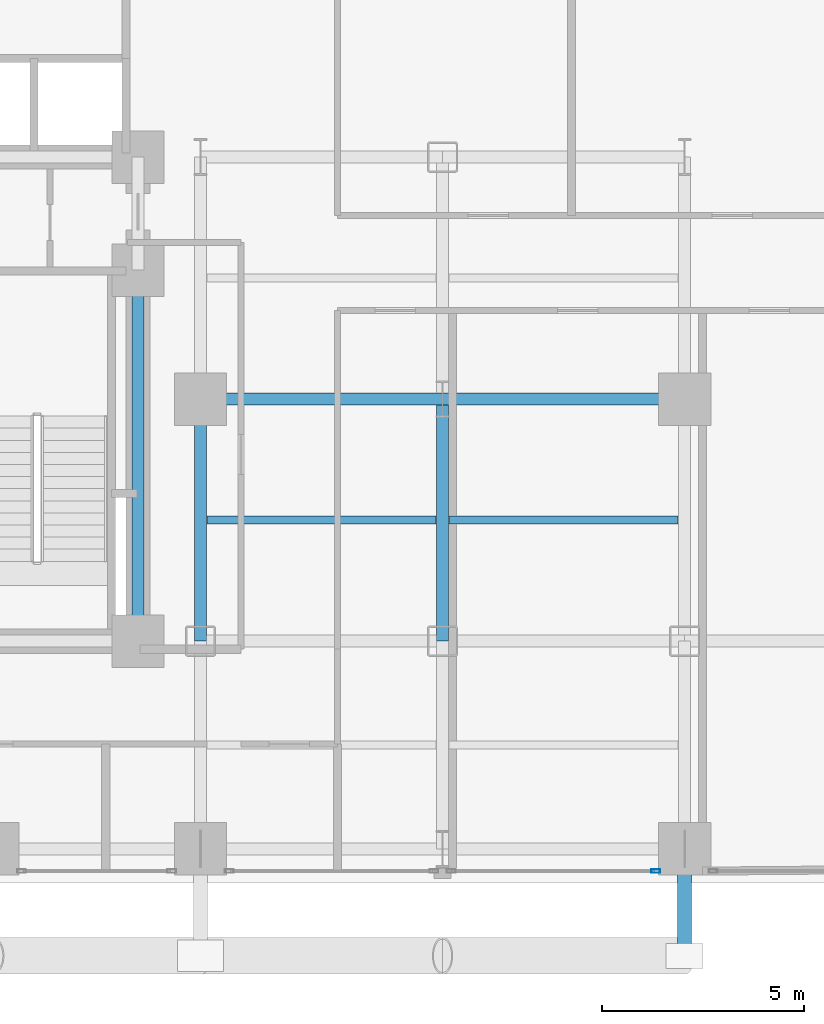
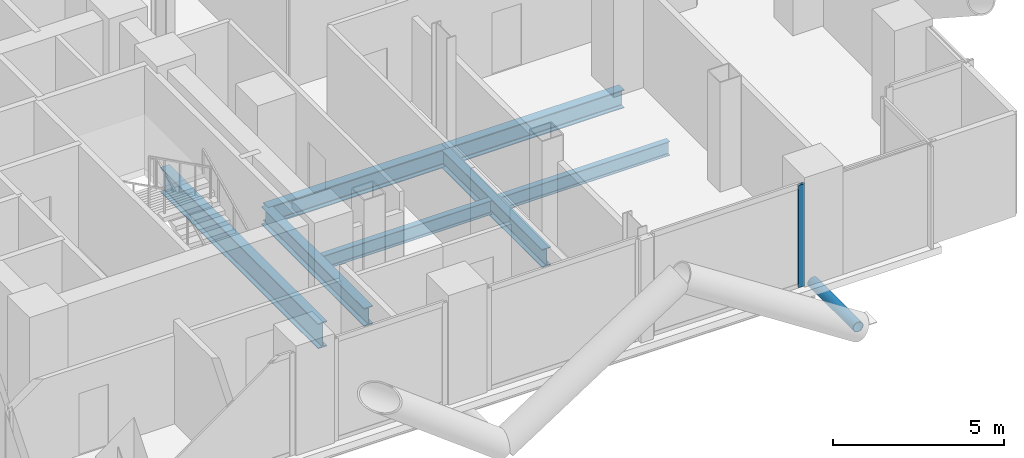
# One storey, part 9 of 25: 7 beams, 2 members, 1 element without a shape of its own.
"""IFC4 building model written with IfcOpenShell, lengths in metres."""

from ifc_helpers import new_model, si_unit, direction, frame, origin, origin_2d, place, context, subcontext, project, spatial, hollow_rectangle, hollow_circle, i_section, extrude, material, layer, layer_set, material_profile, profile_set, type_object, element, aggregate, save


model = new_model("IFC4")

# Units and contexts
model_context = context("Model", 3, precision=1e-05, world=origin(), true_north=direction((0.0, 1.0)))
body_context = subcontext(model_context, "Body", "Model", "MODEL_VIEW")
ifc_project = project(units=[si_unit("LENGTHUNIT", "METRE"), si_unit("AREAUNIT", "SQUARE_METRE"), si_unit("VOLUMEUNIT", "CUBIC_METRE"), si_unit("PLANEANGLEUNIT", "RADIAN"), si_unit("MASSUNIT", "GRAM", prefix="KILO"), si_unit("THERMODYNAMICTEMPERATUREUNIT", "KELVIN"), si_unit("POWERUNIT", "WATT")], contexts=[model_context])

# Site, building, storey
site_placement = place(None, origin())
site = spatial("IfcSite", under=ifc_project, at=site_placement, CompositionType="ELEMENT")
building_placement = place(site_placement, origin())
building = spatial("IfcBuilding", under=site, at=building_placement, Name="Svarakhadi Broadcast Tower", CompositionType="ELEMENT")
storey_placement = place(building_placement, frame((0.0, 0.0, 67.5)))
storey = spatial("IfcBuildingStorey", under=building, at=storey_placement, Name="L15", CompositionType="ELEMENT", Elevation=67.5)

# Beams
ifc_material_1 = material(Name="Steel S355J2 (IS 2062 E350C)", Category="steel")
ifc_material_profile_1 = material_profile(ifc_material_1, i_section(OverallWidth=0.199951171875, OverallDepth=0.5, WebThickness=0.01025390625, FlangeThickness=0.01611328125, FilletRadius=0.02099609375, at=origin_2d()), Name="NPB 500x200x91")
ifc_profile_set_1 = profile_set([ifc_material_profile_1], Name="Steel S355J2 (IS 2062 E350C)")
beam_type_1 = type_object("IfcBeamType", Name="Beam_NPB500", PredefinedType="BEAM", material=ifc_profile_set_1)
for number, where, z_axis, x_axis, name in (
    (1, (35.31005859375, 9.0, -0.5), (1.0, 0.0, 0.0), (0.0, 1.0, 0.0), "L15 Secondary Composite Beam SB023"),
    (2, (41.31005859375, 9.0, -0.5), (1.0, 0.0, 0.0), (0.0, 1.0, 0.0), "L15 Secondary Composite Beam SB026"),
):
    element("IfcBeam", number, at=place(storey_placement, frame(where, z_axis=z_axis, x_axis=x_axis)), inside=storey, type_object=beam_type_1, Name=name, PredefinedType="BEAM", context=body_context, shape_type="SweptSolid", body=[
        extrude(i_section(OverallWidth=0.199951171875, OverallDepth=0.5, WebThickness=0.01025390625, FlangeThickness=0.01611328125, FilletRadius=0.02099609375, at=origin_2d()), origin(), (0.0, 0.0, 1.0), 5.679931640625),
    ])

# Curtain wall, member
ifc_material_2 = material(Name="Anodised Bronze Aluminium AA 6063-T6", Category="aluminium")
ifc_layer = layer(ifc_material_2, 0.219970703125)
ifc_layer_set = layer_set([ifc_layer], Name="Anodised Bronze Aluminium AA 6063-T6")
curtain_wall_type = type_object("IfcCurtainWallType", Name="CW_Sys_02", PredefinedType="NOTDEFINED", material=ifc_layer_set)
curtain_wall_placement = place(storey_placement, origin())
curtain_wall = element("IfcCurtainWall", 3, at=curtain_wall_placement, inside=storey, type_object=curtain_wall_type, Name="L15 South Curtain Wall 16 Bay 2", PredefinedType="NOTDEFINED")
ifc_material_profile_2 = material_profile(ifc_material_2, hollow_rectangle(XDim=0.0849609375, YDim=0.219970703125, WallThickness=0.006103515625, at=origin_2d()), Name="ALU MULLION 220x85x6")
ifc_profile_set_2 = profile_set([ifc_material_profile_2], Name="Anodised Bronze Aluminium AA 6063-T6")
member_type_1 = type_object("IfcMemberType", Name="CW_Sys_02_Mul", PredefinedType="MULLION", material=ifc_profile_set_2)
member_1_placement = place(storey_placement, frame((46.4375, 0.300048828125, 0.0), z_axis=(0.0, 0.0, 1.0), x_axis=(0.0, -1.0, 0.0)))
member_1 = element("IfcMember", 4, at=member_1_placement, type_object=member_type_1, Name="CW-02 mullion 1", PredefinedType="MULLION", context=body_context, shape_type="SweptSolid", body=[
    extrude(hollow_rectangle(XDim=0.0849609375, YDim=0.219970703125, WallThickness=0.006103515625, at=origin_2d()), origin(), (0.0, 0.0, 1.0), 3.64990234375),
])
aggregate(curtain_wall, [member_1])

# Member
ifc_material_3 = material(Name="Steel S460ML (IS 2062 E450BR)", Category="steel")
ifc_material_profile_3 = material_profile(ifc_material_3, hollow_circle(Radius=0.177734375, WallThickness=0.02001953125, at=origin_2d()), Name="CHS 355.6x20")
ifc_profile_set_3 = profile_set([ifc_material_profile_3], Name="Steel S460ML (IS 2062 E450BR)")
member_type_2 = type_object("IfcMemberType", Name="Exo_Radial_Strut_Z1", PredefinedType="STRUT", material=ifc_profile_set_3)
member_2_placement = place(storey_placement, frame((47.14990234375, -1.800048828125, -0.427734375), z_axis=(0.0, 1.0, 0.0), x_axis=(-1.0, 0.0, 0.0)))
element("IfcMember", 5, at=member_2_placement, inside=storey, type_object=member_type_2, Name="L15 Exoskeleton Radial Tie Strut S03", PredefinedType="STRUT", context=body_context, shape_type="SweptSolid", body=[
    extrude(hollow_circle(Radius=0.177734375, WallThickness=0.02001953125, at=origin_2d()), origin(), (0.0, 0.0, 1.0), 2.650146484375),
])

# Beams
ifc_material_profile_4 = material_profile(ifc_material_1, i_section(OverallWidth=0.300048828125, OverallDepth=0.64990234375, WebThickness=0.01611328125, FlangeThickness=0.031005859375, FilletRadius=0.027099609375, at=origin_2d()), Name="WPB 650x300x225")
ifc_profile_set_4 = profile_set([ifc_material_profile_4], Name="Steel S355J2 (IS 2062 E350C)")
beam_type_2 = type_object("IfcBeamType", Name="Girder_WPB650", PredefinedType="USERDEFINED", material=ifc_profile_set_4)
for number, where, z_axis, x_axis, name in (
    (6, (35.14990234375, 12.0, -0.574951171875), (1.0, 0.0, 0.0), (0.0, 1.0, 0.0), "L15 Primary E-W Girder G023"),
    (7, (41.14990234375, 12.0, -0.574951171875), (1.0, 0.0, 0.0), (0.0, 1.0, 0.0), "L15 Primary E-W Girder G024"),
    (8, (35.14990234375, 6.0, -0.574951171875), (0.0, 1.0, 0.0), (-1.0, 0.0, 0.0), "L15 Primary N-S Girder G077"),
    (9, (41.14990234375, 6.0, -0.574951171875), (0.0, 1.0, 0.0), (-1.0, 0.0, 0.0), "L15 Primary N-S Girder G080"),
):
    element("IfcBeam", number, at=place(storey_placement, frame(where, z_axis=z_axis, x_axis=x_axis)), inside=storey, type_object=beam_type_2, Name=name, ObjectType="GIRDER", PredefinedType="USERDEFINED", context=body_context, shape_type="SweptSolid", body=[
        extrude(i_section(OverallWidth=0.300048828125, OverallDepth=0.64990234375, WebThickness=0.01611328125, FlangeThickness=0.031005859375, FilletRadius=0.027099609375, at=origin_2d()), origin(), (0.0, 0.0, 1.0), 6.0),
    ])
ifc_material_profile_5 = material_profile(ifc_material_3, i_section(OverallWidth=0.300048828125, OverallDepth=0.89990234375, WebThickness=0.0185546875, FlangeThickness=0.034912109375, FilletRadius=0.030029296875, at=origin_2d()), Name="WPB 900x300x291")
ifc_profile_set_5 = profile_set([ifc_material_profile_5], Name="Steel S460ML (IS 2062 E450BR)")
beam_type_3 = type_object("IfcBeamType", Name="Girder_WPB900", PredefinedType="USERDEFINED", material=ifc_profile_set_5)
beam_placement = place(storey_placement, frame((33.60009765625, 6.0, -0.699951171875), z_axis=(0.0, 1.0, 0.0), x_axis=(-1.0, 0.0, 0.0)))
element("IfcBeam", 10, at=beam_placement, inside=storey, type_object=beam_type_3, Name="L15 Primary N-S Girder G074", ObjectType="GIRDER", PredefinedType="USERDEFINED", context=body_context, shape_type="SweptSolid", body=[
    extrude(i_section(OverallWidth=0.300048828125, OverallDepth=0.89990234375, WebThickness=0.0185546875, FlangeThickness=0.034912109375, FilletRadius=0.030029296875, at=origin_2d()), origin(), (0.0, 0.0, 1.0), 9.199951171875),
])

save(model, "model.ifc")
